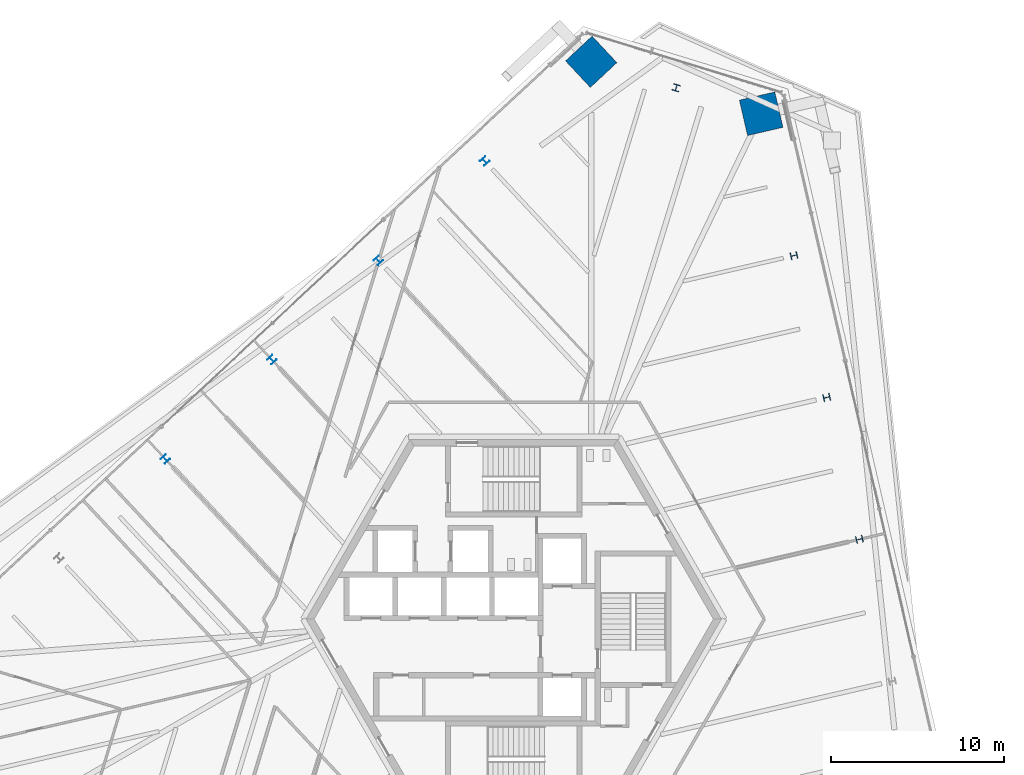
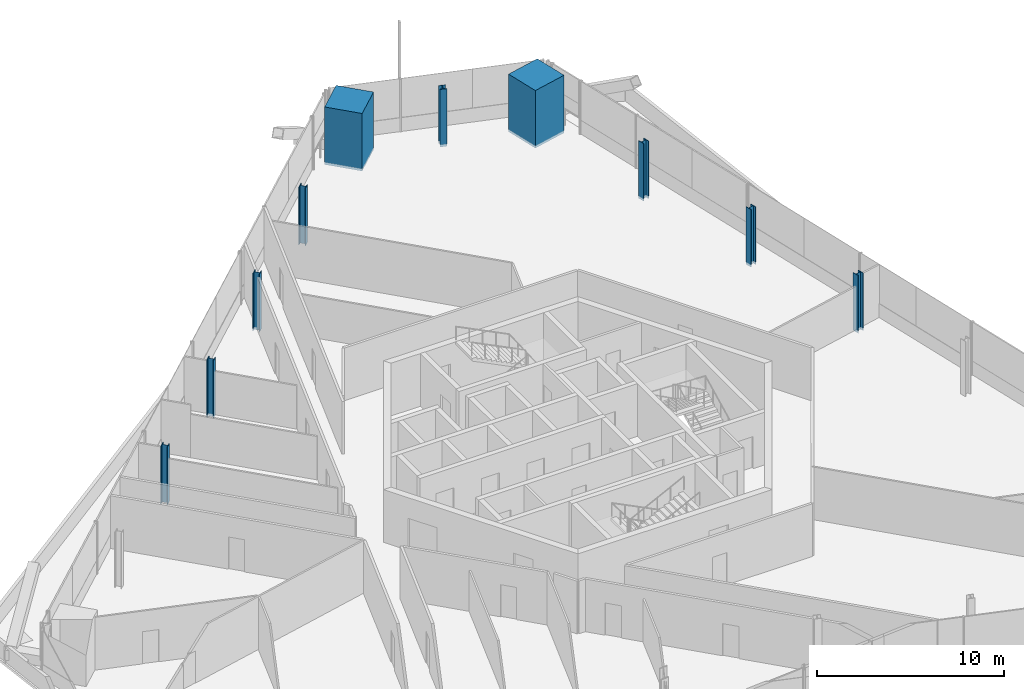
# One storey, part 3 of 25: 10 columns.
"""IFC4 building model written with IfcOpenShell, lengths in metres."""

from ifc_helpers import new_model, si_unit, direction, frame, origin, origin_2d, place, context, subcontext, project, spatial, rectangle, i_section, extrude, source, transform, mapped, material, material_profile, profile_set, type_object, element, save


model = new_model("IFC4")

# Units and contexts
model_context = context("Model", 3, precision=1e-05, world=origin(), true_north=direction((0.0, 1.0)))
body_context = subcontext(model_context, "Body", "Model", "MODEL_VIEW")
ifc_project = project(units=[si_unit("LENGTHUNIT", "METRE"), si_unit("AREAUNIT", "SQUARE_METRE"), si_unit("VOLUMEUNIT", "CUBIC_METRE"), si_unit("PLANEANGLEUNIT", "RADIAN"), si_unit("MASSUNIT", "GRAM", prefix="KILO")], contexts=[model_context])

# Site, building, storey
site_placement = place(None, origin())
site = spatial("IfcSite", under=ifc_project, at=site_placement, CompositionType="ELEMENT")
building_placement = place(site_placement, origin())
building = spatial("IfcBuilding", under=site, at=building_placement, Name="Triune Harvest Tower", CompositionType="ELEMENT")
storey_placement = place(building_placement, frame((0.0, 0.0, 98.300048828125)))
storey = spatial("IfcBuildingStorey", under=building, at=storey_placement, Name="L24", CompositionType="ELEMENT", Elevation=98.300048828125)

# Columns
ifc_material_1 = material(Name="Concrete 70 MPa", Category="concrete")
ifc_material_profile_1 = material_profile(ifc_material_1, rectangle(XDim=2.10009765625, YDim=2.10009765625, at=origin_2d()), Name="Composite 2100x2100")
ifc_profile_set_1 = profile_set([ifc_material_profile_1], Name="Concrete 70 MPa")
column_type_1 = type_object("IfcColumnType", Name="MC-3 Mega column Composite 2100x2100", PredefinedType="COLUMN", material=ifc_profile_set_1)
shared_shape_1 = source(origin(), body_context, "Body", "SweptSolid", [
    extrude(rectangle(XDim=2.10009765625, YDim=2.10009765625, at=origin_2d()), origin(), (0.0, 0.0, 1.0), 3.760009765625),
])
for number, where, z_axis, x_axis, name in (
    (1, (14.301513671875, 29.208984375, -0.16015625), (0.0, 0.0, 1.0), (-0.22495275494, 0.97436967217, 0.0), "col/L24/M6"),
    (2, (4.47705078125, 32.212646484375, -0.16015625), (0.0, 0.0, 1.0), (-0.73135489193, -0.681997083608, 0.0), "col/L24/M8"),
):
    element("IfcColumn", number, at=place(storey_placement, frame(where, z_axis=z_axis, x_axis=x_axis)), inside=storey, type_object=column_type_1, Name=name, PredefinedType="COLUMN", context=body_context, shape_type="MappedRepresentation", body=[
        mapped(shared_shape_1, transform((0.0, 0.0, 0.0), scale=1.0)),
    ])
ifc_material_2 = material(Name="Steel ASTM A992 Gr 50", Category="steel")
ifc_material_profile_2 = material_profile(ifc_material_2, i_section(OverallWidth=0.396240234375, OverallDepth=0.381103515625, WebThickness=0.01904296875, FlangeThickness=0.0302734375, at=origin_2d()), Name="W14x159")
ifc_profile_set_2 = profile_set([ifc_material_profile_2], Name="Steel ASTM A992 Gr 50")
column_type_2 = type_object("IfcColumnType", Name="PC-3 Perimeter column W14x159", PredefinedType="COLUMN", material=ifc_profile_set_2)
shared_shape_2 = source(origin(), body_context, "Body", "SweptSolid", [
    extrude(i_section(OverallWidth=0.396240234375, OverallDepth=0.381103515625, WebThickness=0.01904296875, FlangeThickness=0.0302734375, at=origin_2d()), origin(), (0.0, 0.0, 1.0), 3.760009765625),
])
for number, where, z_axis, x_axis, name in (
    (3, (19.97998046875, 4.61279296875, -0.16015625), (0.0, 0.0, 1.0), (-0.22495275494, 0.97436967217, 0.0), "col/L24/P3"),
    (4, (18.087158203125, 12.8115234375, -0.16015625), (0.0, 0.0, 1.0), (-0.22495275494, 0.97436967217, 0.0), "col/L24/P4"),
    (5, (16.1943359375, 21.01025390625, -0.16015625), (0.0, 0.0, 1.0), (-0.22495275494, 0.97436967217, 0.0), "col/L24/P5"),
    (6, (9.389404296875, 30.7109375, -0.16015625), (0.0, 0.0, 1.0), (-0.956304755963, 0.292371704723, 0.0), "col/L24/P7"),
    (7, (-1.6767578125, 26.47412109375, -0.16015625), (0.0, 0.0, 1.0), (-0.73135489193, -0.681997083608, 0.0), "col/L24/P9"),
    (8, (-7.830810546875, 20.7353515625, -0.16015625), (0.0, 0.0, 1.0), (-0.73135489193, -0.681997083608, 0.0), "col/L24/P10"),
    (9, (-13.984619140625, 14.996826171875, -0.16015625), (0.0, 0.0, 1.0), (-0.73135489193, -0.681997083608, 0.0), "col/L24/P11"),
    (10, (-20.138671875, 9.25830078125, -0.16015625), (0.0, 0.0, 1.0), (-0.73135489193, -0.681997083608, 0.0), "col/L24/P12"),
):
    element("IfcColumn", number, at=place(storey_placement, frame(where, z_axis=z_axis, x_axis=x_axis)), inside=storey, type_object=column_type_2, Name=name, PredefinedType="COLUMN", context=body_context, shape_type="MappedRepresentation", body=[
        mapped(shared_shape_2, transform((0.0, 0.0, 0.0), scale=1.0)),
    ])

save(model, "model.ifc")
